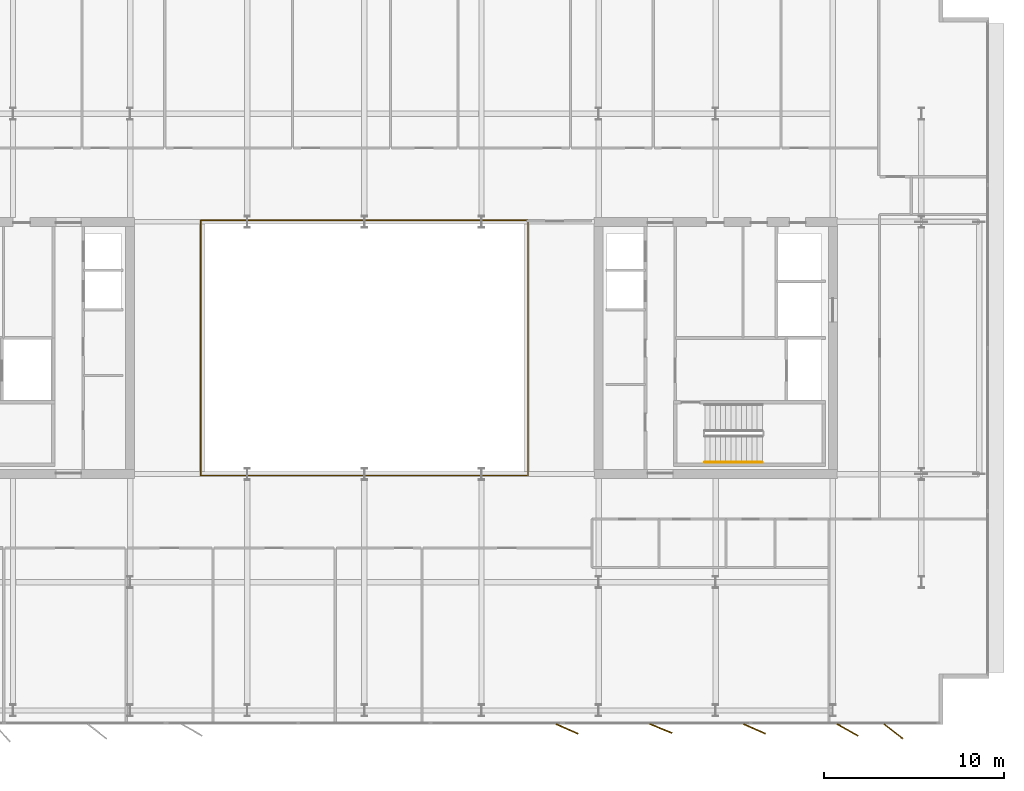
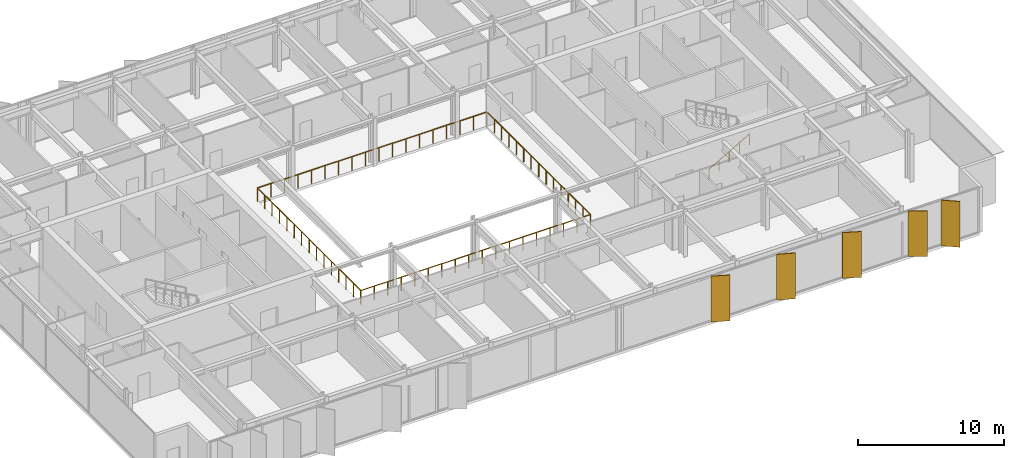
# One storey, part 18 of 20: 5 shading devices, 3 railings.
"""IFC4 building model written with IfcOpenShell, lengths in metres."""

from ifc_helpers import new_model, si_unit, direction, frame, origin, origin_2d, place, context, subcontext, project, spatial, rectangle, circle, extrude, material, layer, layer_set, type_object, element, save


model = new_model("IFC4")

# Units and contexts
model_context = context("Model", 3, precision=1e-05, world=origin(), true_north=direction((0.0, 1.0)))
body_context = subcontext(model_context, "Body", "Model", "MODEL_VIEW")
ifc_project = project(units=[si_unit("LENGTHUNIT", "METRE"), si_unit("AREAUNIT", "SQUARE_METRE"), si_unit("VOLUMEUNIT", "CUBIC_METRE"), si_unit("PLANEANGLEUNIT", "RADIAN"), si_unit("MASSUNIT", "GRAM", prefix="KILO")], contexts=[model_context])

# Site, building, storey
site_placement = place(None, origin())
site = spatial("IfcSite", under=ifc_project, at=site_placement, CompositionType="ELEMENT")
building_placement = place(site_placement, origin())
building = spatial("IfcBuilding", under=site, at=building_placement, Name="Putna Gate Headquarters", CompositionType="ELEMENT")
storey_placement = place(building_placement, frame((0.0, 0.0, 294.39990234375)))
storey = spatial("IfcBuildingStorey", under=building, at=storey_placement, Name="L74", CompositionType="ELEMENT", Elevation=294.39990234375)

# Railings
ifc_material_1 = material(Name="Anodised bronze and laminated glass atrium balustrade", Category="glass")
railing_type_1 = type_object("IfcRailingType", Name="RAIL-ATRIUM-GUARD-1150", PredefinedType="GUARDRAIL", material=ifc_material_1)
railing_1_placement = place(storey_placement, frame((29.919921875, 25.969970703125, 0.0)))
element("IfcRailing", 1, at=railing_1_placement, inside=storey, type_object=railing_type_1, Name="L74 Central Atrium Glazed Balustrade South", PredefinedType="GUARDRAIL", context=body_context, shape_type="SweptSolid", body=[
    extrude(circle(Radius=0.02392578125, at=origin_2d()), frame((0.0, 0.0, 1.1259765625), z_axis=(0.0, -1.0, 0.0), x_axis=(1.0, 0.0, 0.0)), (0.0, 0.0, 1.0), 7.050048828125),
    extrude(circle(Radius=0.02392578125, at=origin_2d()), frame((0.0, -7.050048828125, 1.1259765625), z_axis=(1.0, 0.0, 0.0), x_axis=(0.0, 1.0, 0.0)), (0.0, 0.0, 1.0), 18.16015625),
    extrude(circle(Radius=0.02392578125, at=origin_2d()), frame((18.16015625, -7.050048828125, 1.1259765625), z_axis=(0.0, 1.0, 0.0), x_axis=(-1.0, 0.0, 0.0)), (0.0, 0.0, 1.0), 7.050048828125),
    extrude(circle(Radius=0.02099609375, at=origin_2d()), origin(), (0.0, 0.0, 1.0), 1.101806640625),
    extrude(circle(Radius=0.02099609375, at=origin_2d()), frame((0.0, -1.007080078125, 0.0)), (0.0, 0.0, 1.0), 1.101806640625),
    extrude(circle(Radius=0.02099609375, at=origin_2d()), frame((0.0, -2.014404296875, 0.0)), (0.0, 0.0, 1.0), 1.101806640625),
    extrude(circle(Radius=0.02099609375, at=origin_2d()), frame((0.0, -3.021484375, 0.0)), (0.0, 0.0, 1.0), 1.101806640625),
    extrude(circle(Radius=0.02099609375, at=origin_2d()), frame((0.0, -4.028564453125, 0.0)), (0.0, 0.0, 1.0), 1.101806640625),
    extrude(circle(Radius=0.02099609375, at=origin_2d()), frame((0.0, -5.03564453125, 0.0)), (0.0, 0.0, 1.0), 1.101806640625),
    extrude(circle(Radius=0.02099609375, at=origin_2d()), frame((0.0, -6.04296875, 0.0)), (0.0, 0.0, 1.0), 1.101806640625),
    extrude(circle(Radius=0.02099609375, at=origin_2d()), frame((0.0, -7.050048828125, 0.0)), (0.0, 0.0, 1.0), 1.101806640625),
    extrude(circle(Radius=0.02099609375, at=origin_2d()), frame((1.068359375, -7.050048828125, 0.0)), (0.0, 0.0, 1.0), 1.101806640625),
    extrude(circle(Radius=0.02099609375, at=origin_2d()), frame((2.136474609375, -7.050048828125, 0.0)), (0.0, 0.0, 1.0), 1.101806640625),
    extrude(circle(Radius=0.02099609375, at=origin_2d()), frame((3.204833984375, -7.050048828125, 0.0)), (0.0, 0.0, 1.0), 1.101806640625),
    extrude(circle(Radius=0.02099609375, at=origin_2d()), frame((4.27294921875, -7.050048828125, 0.0)), (0.0, 0.0, 1.0), 1.101806640625),
    extrude(circle(Radius=0.02099609375, at=origin_2d()), frame((5.34130859375, -7.050048828125, 0.0)), (0.0, 0.0, 1.0), 1.101806640625),
    extrude(circle(Radius=0.02099609375, at=origin_2d()), frame((6.409423828125, -7.050048828125, 0.0)), (0.0, 0.0, 1.0), 1.101806640625),
    extrude(circle(Radius=0.02099609375, at=origin_2d()), frame((7.477783203125, -7.050048828125, 0.0)), (0.0, 0.0, 1.0), 1.101806640625),
    extrude(circle(Radius=0.02099609375, at=origin_2d()), frame((8.5458984375, -7.050048828125, 0.0)), (0.0, 0.0, 1.0), 1.101806640625),
    extrude(circle(Radius=0.02099609375, at=origin_2d()), frame((9.6142578125, -7.050048828125, 0.0)), (0.0, 0.0, 1.0), 1.101806640625),
    extrude(circle(Radius=0.02099609375, at=origin_2d()), frame((10.682373046875, -7.050048828125, 0.0)), (0.0, 0.0, 1.0), 1.101806640625),
    extrude(circle(Radius=0.02099609375, at=origin_2d()), frame((11.750732421875, -7.050048828125, 0.0)), (0.0, 0.0, 1.0), 1.101806640625),
    extrude(circle(Radius=0.02099609375, at=origin_2d()), frame((12.81884765625, -7.050048828125, 0.0)), (0.0, 0.0, 1.0), 1.101806640625),
    extrude(circle(Radius=0.02099609375, at=origin_2d()), frame((13.88720703125, -7.050048828125, 0.0)), (0.0, 0.0, 1.0), 1.101806640625),
    extrude(circle(Radius=0.02099609375, at=origin_2d()), frame((14.955322265625, -7.050048828125, 0.0)), (0.0, 0.0, 1.0), 1.101806640625),
    extrude(circle(Radius=0.02099609375, at=origin_2d()), frame((16.023681640625, -7.050048828125, 0.0)), (0.0, 0.0, 1.0), 1.101806640625),
    extrude(circle(Radius=0.02099609375, at=origin_2d()), frame((17.091796875, -7.050048828125, 0.0)), (0.0, 0.0, 1.0), 1.101806640625),
    extrude(circle(Radius=0.02099609375, at=origin_2d()), frame((18.16015625, -7.050048828125, 0.0)), (0.0, 0.0, 1.0), 1.101806640625),
    extrude(circle(Radius=0.02099609375, at=origin_2d()), frame((18.16015625, -6.04296875, 0.0)), (0.0, 0.0, 1.0), 1.101806640625),
    extrude(circle(Radius=0.02099609375, at=origin_2d()), frame((18.16015625, -5.03564453125, 0.0)), (0.0, 0.0, 1.0), 1.101806640625),
    extrude(circle(Radius=0.02099609375, at=origin_2d()), frame((18.16015625, -4.028564453125, 0.0)), (0.0, 0.0, 1.0), 1.101806640625),
    extrude(circle(Radius=0.02099609375, at=origin_2d()), frame((18.16015625, -3.021484375, 0.0)), (0.0, 0.0, 1.0), 1.101806640625),
    extrude(circle(Radius=0.02099609375, at=origin_2d()), frame((18.16015625, -2.014404296875, 0.0)), (0.0, 0.0, 1.0), 1.101806640625),
    extrude(circle(Radius=0.02099609375, at=origin_2d()), frame((18.16015625, -1.007080078125, 0.0)), (0.0, 0.0, 1.0), 1.101806640625),
    extrude(circle(Radius=0.02099609375, at=origin_2d()), frame((18.16015625, 0.0, 0.0)), (0.0, 0.0, 1.0), 1.101806640625),
])
railing_2_placement = place(storey_placement, frame((48.080078125, 26.030029296875, 0.0)))
element("IfcRailing", 2, at=railing_2_placement, inside=storey, type_object=railing_type_1, Name="L74 Central Atrium Glazed Balustrade North", PredefinedType="GUARDRAIL", context=body_context, shape_type="SweptSolid", body=[
    extrude(circle(Radius=0.02392578125, at=origin_2d()), frame((0.0, 0.0, 1.1259765625), z_axis=(0.0, 1.0, 0.0), x_axis=(-1.0, 0.0, 0.0)), (0.0, 0.0, 1.0), 7.050048828125),
    extrude(circle(Radius=0.02392578125, at=origin_2d()), frame((0.0, 7.050048828125, 1.1259765625), z_axis=(-1.0, 0.0, 0.0), x_axis=(0.0, -1.0, 0.0)), (0.0, 0.0, 1.0), 18.16015625),
    extrude(circle(Radius=0.02392578125, at=origin_2d()), frame((-18.16015625, 7.050048828125, 1.1259765625), z_axis=(0.0, -1.0, 0.0), x_axis=(1.0, 0.0, 0.0)), (0.0, 0.0, 1.0), 7.050048828125),
    extrude(circle(Radius=0.02099609375, at=origin_2d()), origin(), (0.0, 0.0, 1.0), 1.101806640625),
    extrude(circle(Radius=0.02099609375, at=origin_2d()), frame((0.0, 1.007080078125, 0.0)), (0.0, 0.0, 1.0), 1.101806640625),
    extrude(circle(Radius=0.02099609375, at=origin_2d()), frame((0.0, 2.014404296875, 0.0)), (0.0, 0.0, 1.0), 1.101806640625),
    extrude(circle(Radius=0.02099609375, at=origin_2d()), frame((0.0, 3.021484375, 0.0)), (0.0, 0.0, 1.0), 1.101806640625),
    extrude(circle(Radius=0.02099609375, at=origin_2d()), frame((0.0, 4.028564453125, 0.0)), (0.0, 0.0, 1.0), 1.101806640625),
    extrude(circle(Radius=0.02099609375, at=origin_2d()), frame((0.0, 5.03564453125, 0.0)), (0.0, 0.0, 1.0), 1.101806640625),
    extrude(circle(Radius=0.02099609375, at=origin_2d()), frame((0.0, 6.04296875, 0.0)), (0.0, 0.0, 1.0), 1.101806640625),
    extrude(circle(Radius=0.02099609375, at=origin_2d()), frame((0.0, 7.050048828125, 0.0)), (0.0, 0.0, 1.0), 1.101806640625),
    extrude(circle(Radius=0.02099609375, at=origin_2d()), frame((-1.068359375, 7.050048828125, 0.0)), (0.0, 0.0, 1.0), 1.101806640625),
    extrude(circle(Radius=0.02099609375, at=origin_2d()), frame((-2.136474609375, 7.050048828125, 0.0)), (0.0, 0.0, 1.0), 1.101806640625),
    extrude(circle(Radius=0.02099609375, at=origin_2d()), frame((-3.204833984375, 7.050048828125, 0.0)), (0.0, 0.0, 1.0), 1.101806640625),
    extrude(circle(Radius=0.02099609375, at=origin_2d()), frame((-4.27294921875, 7.050048828125, 0.0)), (0.0, 0.0, 1.0), 1.101806640625),
    extrude(circle(Radius=0.02099609375, at=origin_2d()), frame((-5.34130859375, 7.050048828125, 0.0)), (0.0, 0.0, 1.0), 1.101806640625),
    extrude(circle(Radius=0.02099609375, at=origin_2d()), frame((-6.409423828125, 7.050048828125, 0.0)), (0.0, 0.0, 1.0), 1.101806640625),
    extrude(circle(Radius=0.02099609375, at=origin_2d()), frame((-7.477783203125, 7.050048828125, 0.0)), (0.0, 0.0, 1.0), 1.101806640625),
    extrude(circle(Radius=0.02099609375, at=origin_2d()), frame((-8.5458984375, 7.050048828125, 0.0)), (0.0, 0.0, 1.0), 1.101806640625),
    extrude(circle(Radius=0.02099609375, at=origin_2d()), frame((-9.6142578125, 7.050048828125, 0.0)), (0.0, 0.0, 1.0), 1.101806640625),
    extrude(circle(Radius=0.02099609375, at=origin_2d()), frame((-10.682373046875, 7.050048828125, 0.0)), (0.0, 0.0, 1.0), 1.101806640625),
    extrude(circle(Radius=0.02099609375, at=origin_2d()), frame((-11.750732421875, 7.050048828125, 0.0)), (0.0, 0.0, 1.0), 1.101806640625),
    extrude(circle(Radius=0.02099609375, at=origin_2d()), frame((-12.81884765625, 7.050048828125, 0.0)), (0.0, 0.0, 1.0), 1.101806640625),
    extrude(circle(Radius=0.02099609375, at=origin_2d()), frame((-13.88720703125, 7.050048828125, 0.0)), (0.0, 0.0, 1.0), 1.101806640625),
    extrude(circle(Radius=0.02099609375, at=origin_2d()), frame((-14.955322265625, 7.050048828125, 0.0)), (0.0, 0.0, 1.0), 1.101806640625),
    extrude(circle(Radius=0.02099609375, at=origin_2d()), frame((-16.023681640625, 7.050048828125, 0.0)), (0.0, 0.0, 1.0), 1.101806640625),
    extrude(circle(Radius=0.02099609375, at=origin_2d()), frame((-17.091796875, 7.050048828125, 0.0)), (0.0, 0.0, 1.0), 1.101806640625),
    extrude(circle(Radius=0.02099609375, at=origin_2d()), frame((-18.16015625, 7.050048828125, 0.0)), (0.0, 0.0, 1.0), 1.101806640625),
    extrude(circle(Radius=0.02099609375, at=origin_2d()), frame((-18.16015625, 6.04296875, 0.0)), (0.0, 0.0, 1.0), 1.101806640625),
    extrude(circle(Radius=0.02099609375, at=origin_2d()), frame((-18.16015625, 5.03564453125, 0.0)), (0.0, 0.0, 1.0), 1.101806640625),
    extrude(circle(Radius=0.02099609375, at=origin_2d()), frame((-18.16015625, 4.028564453125, 0.0)), (0.0, 0.0, 1.0), 1.101806640625),
    extrude(circle(Radius=0.02099609375, at=origin_2d()), frame((-18.16015625, 3.021484375, 0.0)), (0.0, 0.0, 1.0), 1.101806640625),
    extrude(circle(Radius=0.02099609375, at=origin_2d()), frame((-18.16015625, 2.014404296875, 0.0)), (0.0, 0.0, 1.0), 1.101806640625),
    extrude(circle(Radius=0.02099609375, at=origin_2d()), frame((-18.16015625, 1.007080078125, 0.0)), (0.0, 0.0, 1.0), 1.101806640625),
    extrude(circle(Radius=0.02099609375, at=origin_2d()), frame((-18.16015625, 0.0, 0.0)), (0.0, 0.0, 1.0), 1.101806640625),
])
ifc_material_2 = material(Name="Brushed stainless steel handrail", Category="steel")
railing_type_2 = type_object("IfcRailingType", Name="RAIL-STAIR-HAND-900", PredefinedType="HANDRAIL", material=ifc_material_2)
railing_3_placement = place(storey_placement, frame((57.89990234375, 19.64990234375, 0.166748046875)))
element("IfcRailing", 3, at=railing_3_placement, inside=storey, type_object=railing_type_2, Name="L74 ST2 stair handrail 1", PredefinedType="HANDRAIL", context=body_context, shape_type="SweptSolid", body=[
    extrude(circle(Radius=0.02392578125, at=origin_2d()), frame((0.0, 0.0, 0.8759765625), z_axis=(0.8670360191, 0.0, 0.498245463184), x_axis=(0.0, 1.0, 0.0)), (0.0, 0.0, 1.0), 3.679443359375),
    extrude(circle(Radius=0.02099609375, at=origin_2d()), origin(), (0.0, 0.0, 1.0), 0.851806640625),
    extrude(circle(Radius=0.02099609375, at=origin_2d()), frame((0.797607421875, 0.0, 0.458251953125)), (0.0, 0.0, 1.0), 0.851806640625),
    extrude(circle(Radius=0.02099609375, at=origin_2d()), frame((1.59521484375, 0.0, 0.91650390625)), (0.0, 0.0, 1.0), 0.851806640625),
    extrude(circle(Radius=0.02099609375, at=origin_2d()), frame((2.392578125, 0.0, 1.375)), (0.0, 0.0, 1.0), 0.851806640625),
    extrude(circle(Radius=0.02099609375, at=origin_2d()), frame((3.190185546875, 0.0, 1.833251953125)), (0.0, 0.0, 1.0), 0.851806640625),
])

# Shading devices
ifc_material_3 = material(Name="Anodised architectural bronze aluminium fin", Category="aluminium")
ifc_layer = layer(ifc_material_3, 0.06494140625)
ifc_layer_set = layer_set([ifc_layer], Name="Anodised architectural bronze aluminium fin")
shading_device_type = type_object("IfcShadingDeviceType", Name="SHADE-BRONZE-FIN-1320", PredefinedType="USERDEFINED", material=ifc_layer_set)
for number, where, z_axis, x_axis, name in (
    (4, (50.2529296875, 4.856689453125, -0.02001953125), (0.0, 0.0, 1.0), (0.913687379856, -0.40641773078, 0.0), "L74 Bronze Vertical Shading Fin S7"),
    (5, (55.4619140625, 4.877685546875, -0.02001953125), (0.0, 0.0, 1.0), (0.927183854567, -0.374606593416, 0.0), "L74 Bronze Vertical Shading Fin S8"),
    (6, (60.653076171875, 4.856689453125, -0.02001953125), (0.0, 0.0, 1.0), (0.913687379856, -0.40641773078, 0.0), "L74 Bronze Vertical Shading Fin S9"),
    (7, (65.82373046875, 4.798828125, -0.02001953125), (0.0, 0.0, 1.0), (0.869322458298, -0.494245347472, 0.0), "L74 Bronze Vertical Shading Fin S10"),
    (8, (68.36962890625, 4.71826171875, -0.02001953125), (0.0, 0.0, 1.0), (0.787473187632, -0.616348909921, 0.0), "L74 Bronze Vertical Shading Fin S11"),
):
    element("IfcShadingDevice", number, at=place(storey_placement, frame(where, z_axis=z_axis, x_axis=x_axis)), inside=storey, type_object=shading_device_type, Name=name, ObjectType="FIN", PredefinedType="USERDEFINED", context=body_context, shape_type="SweptSolid", body=[
        extrude(rectangle(XDim=1.320068359375, YDim=0.06494140625, at=origin_2d()), origin(), (0.0, 0.0, 1.0), 3.827880859375),
    ])

save(model, "model.ifc")
